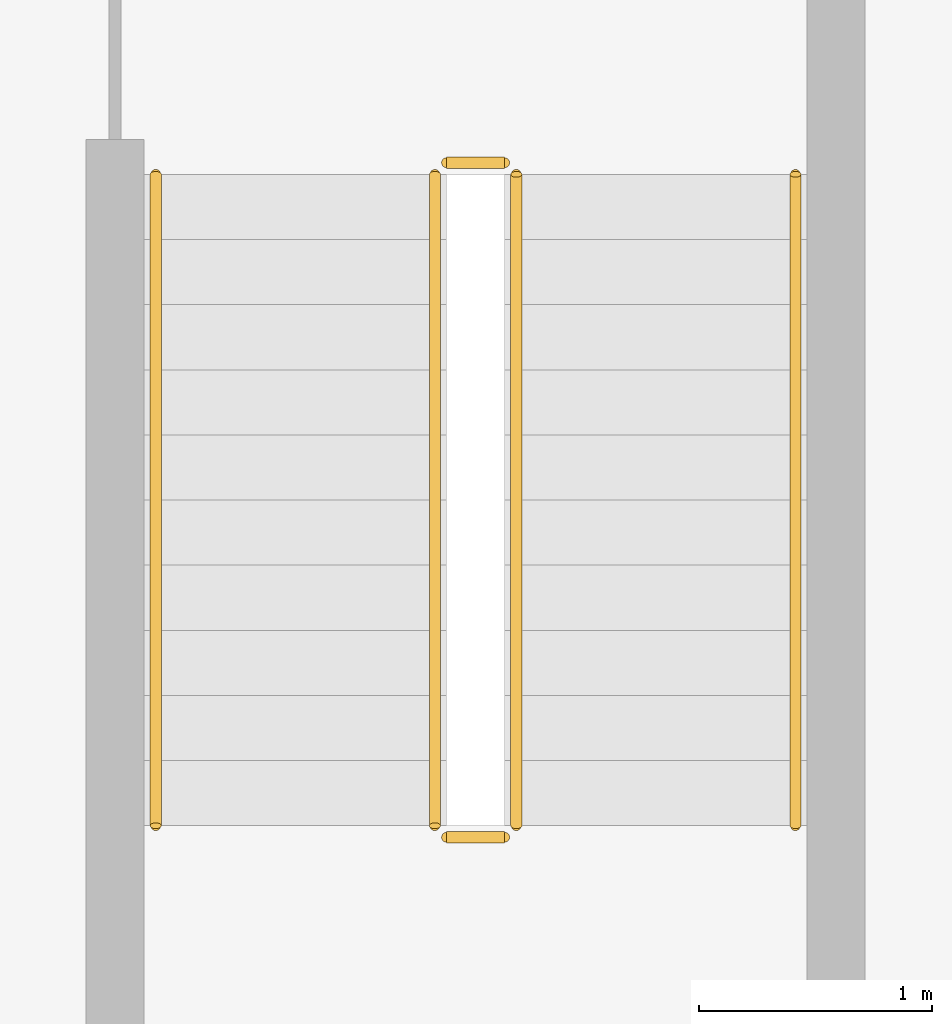
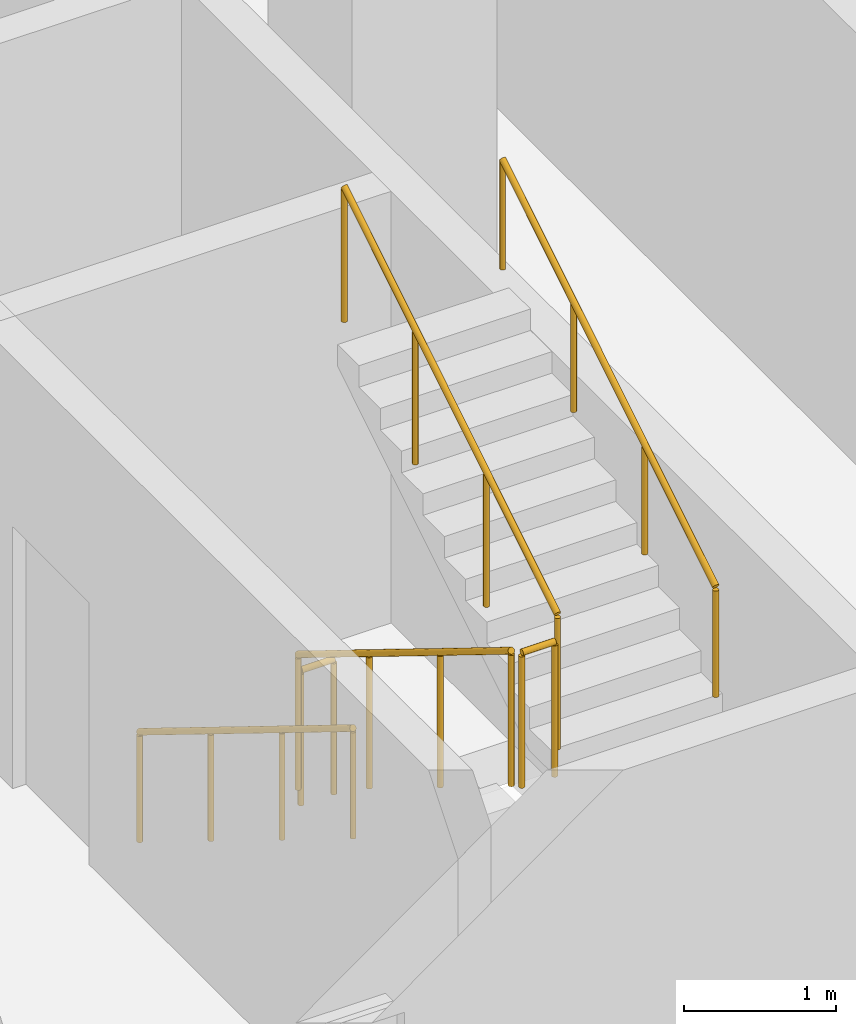
# One storey, part 26 of 30: 6 railings.
"""IFC4 building model written with IfcOpenShell, lengths in metres."""

from ifc_helpers import new_model, si_unit, direction, frame, origin, origin_2d, place, context, subcontext, project, spatial, circle, extrude, material, type_object, element, save


model = new_model("IFC4")

# Units and contexts
model_context = context("Model", 3, precision=1e-05, world=origin(), true_north=direction((0.0, 1.0)))
body_context = subcontext(model_context, "Body", "Model", "MODEL_VIEW")
ifc_project = project(units=[si_unit("LENGTHUNIT", "METRE"), si_unit("AREAUNIT", "SQUARE_METRE"), si_unit("VOLUMEUNIT", "CUBIC_METRE"), si_unit("PLANEANGLEUNIT", "RADIAN"), si_unit("MASSUNIT", "GRAM", prefix="KILO")], contexts=[model_context])

# Site, building, storey
site_placement = place(None, origin())
site = spatial("IfcSite", under=ifc_project, at=site_placement, CompositionType="ELEMENT")
building_placement = place(site_placement, origin())
building = spatial("IfcBuilding", under=site, at=building_placement, Name="Mahtab Terrace Research Tower", CompositionType="ELEMENT")
storey_placement = place(building_placement, frame((0.0, 0.0, 201.5)))
storey = spatial("IfcBuildingStorey", under=building, at=storey_placement, Name="L48", CompositionType="ELEMENT", Elevation=201.5)

# Railings
ifc_material = material(Name="Stainless steel AISI 304", Category="steel")
railing_type_1 = type_object("IfcRailingType", Name="Stair guard 1100", PredefinedType="GUARDRAIL", material=ifc_material)
railing_1_placement = place(storey_placement, frame((2.949951171875, -4.175048828125, 0.172607421875)))
element("IfcRailing", 1, at=railing_1_placement, inside=storey, type_object=railing_type_1, Name="L48 ST2 stair guard 1", PredefinedType="GUARDRAIL", context=body_context, shape_type="SweptSolid", body=[
    extrude(circle(Radius=0.02392578125, at=origin_2d()), frame((0.0, 0.0, 1.076171875), z_axis=(0.0, -0.851089632645, 0.525020415988), x_axis=(1.0, 0.0, 0.0)), (0.0, 0.0, 1.0), 3.2900390625),
    extrude(circle(Radius=0.02099609375, at=origin_2d()), origin(), (0.0, 0.0, 1.0), 1.052001953125),
    extrude(circle(Radius=0.02099609375, at=origin_2d()), frame((0.0, -0.933349609375, 0.57568359375)), (0.0, 0.0, 1.0), 1.052001953125),
    extrude(circle(Radius=0.02099609375, at=origin_2d()), frame((0.0, -1.86669921875, 1.151611328125)), (0.0, 0.0, 1.0), 1.052001953125),
    extrude(circle(Radius=0.02099609375, at=origin_2d()), frame((0.0, -2.800048828125, 1.727294921875)), (0.0, 0.0, 1.0), 1.052001953125),
])
railing_2_placement = place(storey_placement, frame((3.0, -7.02490234375, 1.89990234375)))
element("IfcRailing", 2, at=railing_2_placement, inside=storey, type_object=railing_type_1, Name="L48 ST2 stair guard 2", PredefinedType="GUARDRAIL", context=body_context, shape_type="SweptSolid", body=[
    extrude(circle(Radius=0.02392578125, at=origin_2d()), frame((0.0, 0.0, 1.076171875), z_axis=(1.0, 0.0, 0.0), x_axis=(0.0, 1.0, 0.0)), (0.0, 0.0, 1.0), 0.25),
    extrude(circle(Radius=0.02099609375, at=origin_2d()), origin(), (0.0, 0.0, 1.0), 1.052001953125),
    extrude(circle(Radius=0.02099609375, at=origin_2d()), frame((0.25, 0.0, 0.0)), (0.0, 0.0, 1.0), 1.052001953125),
])
railing_3_placement = place(storey_placement, frame((3.300048828125, -6.97509765625, 2.07275390625)))
element("IfcRailing", 3, at=railing_3_placement, inside=storey, type_object=railing_type_1, Name="L48 ST2 stair guard 3", PredefinedType="GUARDRAIL", context=body_context, shape_type="SweptSolid", body=[
    extrude(circle(Radius=0.02392578125, at=origin_2d()), frame((0.0, 0.0, 1.076171875), z_axis=(0.0, 0.851089632645, 0.525020415988), x_axis=(-1.0, 0.0, 0.0)), (0.0, 0.0, 1.0), 3.2900390625),
    extrude(circle(Radius=0.02099609375, at=origin_2d()), origin(), (0.0, 0.0, 1.0), 1.052001953125),
    extrude(circle(Radius=0.02099609375, at=origin_2d()), frame((0.0, 0.933349609375, 0.57568359375)), (0.0, 0.0, 1.0), 1.052001953125),
    extrude(circle(Radius=0.02099609375, at=origin_2d()), frame((0.0, 1.86669921875, 1.151611328125)), (0.0, 0.0, 1.0), 1.052001953125),
    extrude(circle(Radius=0.02099609375, at=origin_2d()), frame((0.0, 2.800048828125, 1.727294921875)), (0.0, 0.0, 1.0), 1.052001953125),
])
railing_4_placement = place(storey_placement, frame((3.0, -4.125, 0.0)))
element("IfcRailing", 4, at=railing_4_placement, inside=storey, type_object=railing_type_1, Name="L48 ST2 stair guard 4", PredefinedType="GUARDRAIL", context=body_context, shape_type="SweptSolid", body=[
    extrude(circle(Radius=0.02392578125, at=origin_2d()), frame((0.0, 0.0, 1.076171875), z_axis=(1.0, 0.0, 0.0), x_axis=(0.0, 1.0, 0.0)), (0.0, 0.0, 1.0), 0.25),
    extrude(circle(Radius=0.02099609375, at=origin_2d()), origin(), (0.0, 0.0, 1.0), 1.052001953125),
    extrude(circle(Radius=0.02099609375, at=origin_2d()), frame((0.25, 0.0, 0.0)), (0.0, 0.0, 1.0), 1.052001953125),
])
railing_type_2 = type_object("IfcRailingType", Name="Stair handrail 900", PredefinedType="HANDRAIL", material=ifc_material)
railing_5_placement = place(storey_placement, frame((1.75, -4.175048828125, 0.172607421875)))
element("IfcRailing", 5, at=railing_5_placement, inside=storey, type_object=railing_type_2, Name="L48 ST2 stair handrail 1", PredefinedType="HANDRAIL", context=body_context, shape_type="SweptSolid", body=[
    extrude(circle(Radius=0.02392578125, at=origin_2d()), frame((0.0, 0.0, 0.8759765625), z_axis=(0.0, -0.851089632645, 0.525020415988), x_axis=(1.0, 0.0, 0.0)), (0.0, 0.0, 1.0), 3.2900390625),
    extrude(circle(Radius=0.02099609375, at=origin_2d()), origin(), (0.0, 0.0, 1.0), 0.851806640625),
    extrude(circle(Radius=0.02099609375, at=origin_2d()), frame((0.0, -0.933349609375, 0.57568359375)), (0.0, 0.0, 1.0), 0.851806640625),
    extrude(circle(Radius=0.02099609375, at=origin_2d()), frame((0.0, -1.86669921875, 1.151611328125)), (0.0, 0.0, 1.0), 0.851806640625),
    extrude(circle(Radius=0.02099609375, at=origin_2d()), frame((0.0, -2.800048828125, 1.727294921875)), (0.0, 0.0, 1.0), 0.851806640625),
])
railing_6_placement = place(storey_placement, frame((4.5, -6.97509765625, 2.07275390625)))
element("IfcRailing", 6, at=railing_6_placement, inside=storey, type_object=railing_type_2, Name="L48 ST2 stair handrail 2", PredefinedType="HANDRAIL", context=body_context, shape_type="SweptSolid", body=[
    extrude(circle(Radius=0.02392578125, at=origin_2d()), frame((0.0, 0.0, 0.8759765625), z_axis=(0.0, 0.851089632645, 0.525020415988), x_axis=(-1.0, 0.0, 0.0)), (0.0, 0.0, 1.0), 3.2900390625),
    extrude(circle(Radius=0.02099609375, at=origin_2d()), origin(), (0.0, 0.0, 1.0), 0.851806640625),
    extrude(circle(Radius=0.02099609375, at=origin_2d()), frame((0.0, 0.933349609375, 0.57568359375)), (0.0, 0.0, 1.0), 0.851806640625),
    extrude(circle(Radius=0.02099609375, at=origin_2d()), frame((0.0, 1.86669921875, 1.151611328125)), (0.0, 0.0, 1.0), 0.851806640625),
    extrude(circle(Radius=0.02099609375, at=origin_2d()), frame((0.0, 2.800048828125, 1.727294921875)), (0.0, 0.0, 1.0), 0.851806640625),
])

save(model, "model.ifc")
